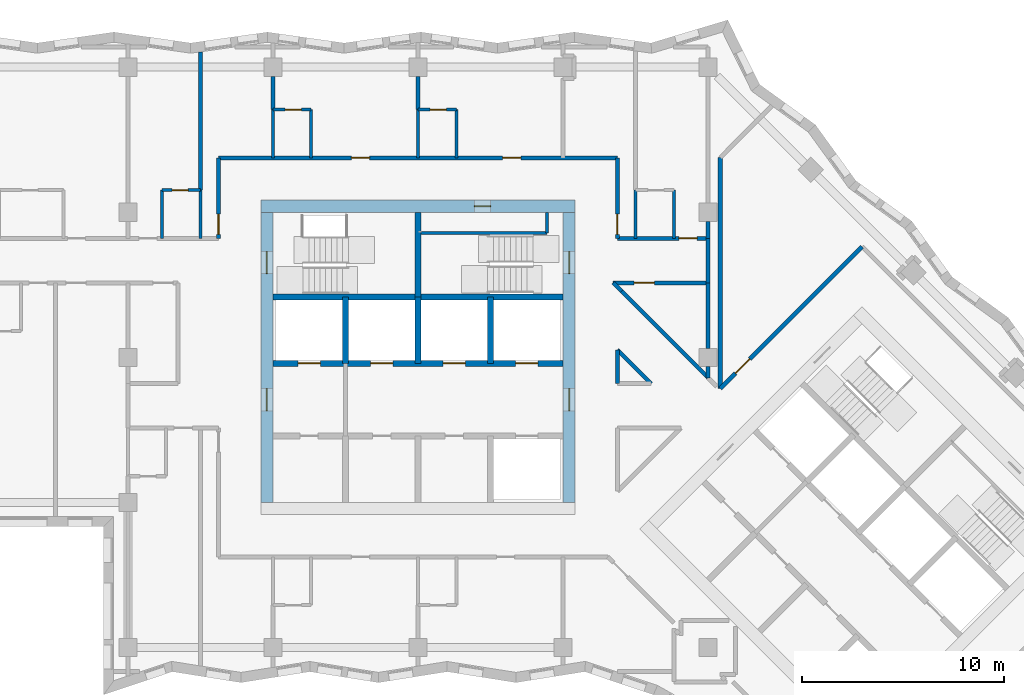
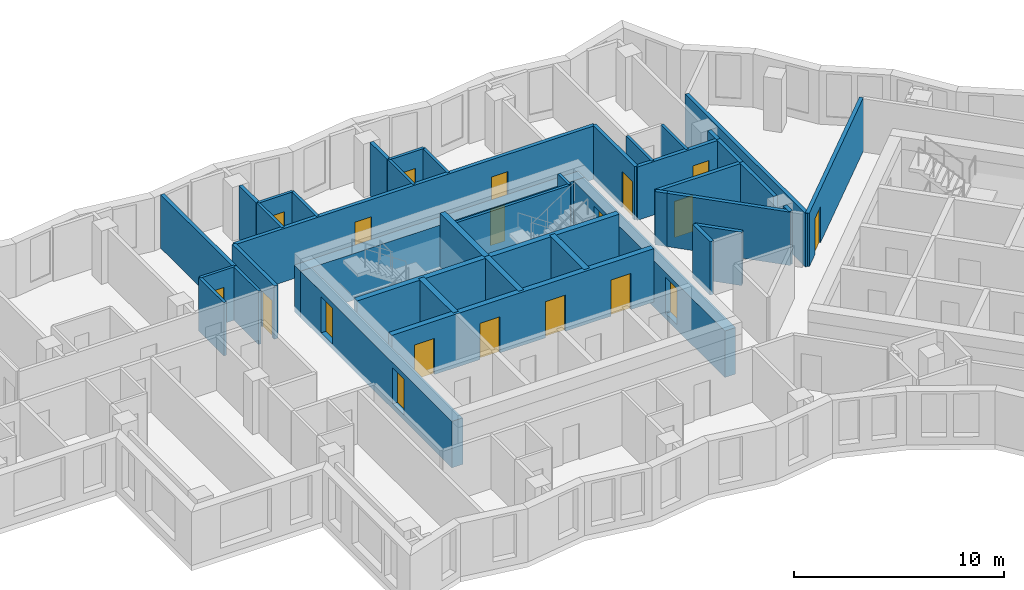
# One storey, part 6 of 12: 41 walls, 19 doors, 19 openings.
"""IFC4 building model written with IfcOpenShell, lengths in metres."""

from ifc_helpers import new_model, si_unit, direction, frame, frame_2d, origin, place, context, subcontext, project, spatial, rectangle, extrude, material, layer, layer_set, type_object, element, fill, save


model = new_model("IFC4")

# Units and contexts
model_context = context("Model", 3, precision=1e-05, world=origin(), true_north=direction((0.0, 1.0)))
body_context = subcontext(model_context, "Body", "Model", "MODEL_VIEW")
ifc_project = project(units=[si_unit("LENGTHUNIT", "METRE"), si_unit("AREAUNIT", "SQUARE_METRE"), si_unit("VOLUMEUNIT", "CUBIC_METRE"), si_unit("PLANEANGLEUNIT", "RADIAN"), si_unit("MASSUNIT", "GRAM", prefix="KILO")], contexts=[model_context])

# Site, building, storey
site_placement = place(None, origin())
site = spatial("IfcSite", under=ifc_project, at=site_placement, CompositionType="ELEMENT")
building_placement = place(site_placement, origin())
building = spatial("IfcBuilding", under=site, at=building_placement, Name="Windrow Commons", CompositionType="ELEMENT")
storey_placement = place(building_placement, frame((0.0, 0.0, 162.6)))
storey = spatial("IfcBuildingStorey", under=building, at=storey_placement, Name="L44", CompositionType="ELEMENT", Elevation=162.6)

# Wall, openings, doors
ifc_material_1 = material(Name="Blockwork partition", Category="masonry")
ifc_layer_1 = layer(ifc_material_1, 0.2)
ifc_layer_set_1 = layer_set([ifc_layer_1], Name="IW-CORRIDOR-200")
wall_type_1 = type_object("IfcWallType", Name="IW-CORRIDOR-200", PredefinedType="PARTITIONING", material=ifc_layer_set_1)
wall_1_placement = place(storey_placement, frame((54.9, 67.5, 0.0), z_axis=(0.0, 0.0, 1.0), x_axis=(1.0, 0.0, 0.0)))
wall_1 = element("IfcWall", 1, at=wall_1_placement, inside=storey, type_object=wall_type_1, Name="W-L44-W000", PredefinedType="PARTITIONING", context=body_context, shape_type="SweptSolid", body=[
    extrude(rectangle(XDim=19.8, YDim=0.2, at=frame_2d((9.9, 0.0))), origin(), (0.0, 0.0, 1.0), 3.1),
])
opening_1_placement = place(wall_1_placement, frame((6.5994, 0.0, 0.0)))
opening_1 = element("IfcOpeningElement", 2, at=opening_1_placement, cuts=wall_1, Name="Opening D109F", PredefinedType="OPENING", context=body_context, shape_type="SweptSolid", body=[
    extrude(rectangle(XDim=0.9, YDim=2.1, at=frame_2d((0.45, 1.05))), frame((0.0, 0.11, 0.0), z_axis=(0.0, -1.0, 0.0), x_axis=(1.0, 0.0, 0.0)), (0.0, 0.0, 1.0), 0.22),
])
opening_2_placement = place(wall_1_placement, frame((14.1006, 0.0, 0.0)))
opening_2 = element("IfcOpeningElement", 3, at=opening_2_placement, cuts=wall_1, Name="Opening D109F", PredefinedType="OPENING", context=body_context, shape_type="SweptSolid", body=[
    extrude(rectangle(XDim=0.9, YDim=2.1, at=frame_2d((0.45, 1.05))), frame((0.0, 0.11, 0.0), z_axis=(0.0, -1.0, 0.0), x_axis=(1.0, 0.0, 0.0)), (0.0, 0.0, 1.0), 0.22),
])
ifc_material_2 = material(Name="Timber door leaf", Category="wood")
door_type_1 = type_object("IfcDoorType", Name="DT-BEDROOM-900", OperationType="SINGLE_SWING_LEFT", PredefinedType="DOOR", material=ifc_material_2)
door_1_placement = place(opening_1_placement, origin())
door_1 = element("IfcDoor", 4, at=door_1_placement, inside=storey, type_object=door_type_1, Name="D-L44-D036", OperationType="SINGLE_SWING_RIGHT", OverallHeight=2.1, OverallWidth=0.9, PredefinedType="DOOR", context=body_context, shape_type="SweptSolid", body=[
    extrude(rectangle(XDim=0.9, YDim=2.1, at=frame_2d((0.45, 1.05))), frame((0.0, 0.025, 0.0), z_axis=(0.0, -1.0, 0.0), x_axis=(1.0, 0.0, 0.0)), (0.0, 0.0, 1.0), 0.05),
])
fill(opening_1, door_1)
door_2_placement = place(opening_2_placement, origin())
door_2 = element("IfcDoor", 5, at=door_2_placement, inside=storey, type_object=door_type_1, Name="D-L44-D038", OperationType="SINGLE_SWING_RIGHT", OverallHeight=2.1, OverallWidth=0.9, PredefinedType="DOOR", context=body_context, shape_type="SweptSolid", body=[
    extrude(rectangle(XDim=0.9, YDim=2.1, at=frame_2d((0.45, 1.05))), frame((0.0, 0.025, 0.0), z_axis=(0.0, -1.0, 0.0), x_axis=(1.0, 0.0, 0.0)), (0.0, 0.0, 1.0), 0.05),
])
fill(opening_2, door_2)

# Wall, opening, door
wall_2_placement = place(storey_placement, frame((79.7993, 56.0547, 0.0), z_axis=(0.0, 0.0, 1.0), x_axis=(0.7071067812, 0.7071067812, 0.0)))
wall_2 = element("IfcWall", 6, at=wall_2_placement, inside=storey, type_object=wall_type_1, Name="W-L44-W013", PredefinedType="PARTITIONING", context=body_context, shape_type="SweptSolid", body=[
    extrude(rectangle(XDim=9.9504, YDim=0.2, at=frame_2d((4.9752, 0.0))), origin(), (0.0, 0.0, 1.0), 3.1),
])
opening_3_placement = place(wall_2_placement, frame((1.0709, 0.0, 0.0)))
opening_3 = element("IfcOpeningElement", 7, at=opening_3_placement, cuts=wall_2, Name="Opening D310F", PredefinedType="OPENING", context=body_context, shape_type="SweptSolid", body=[
    extrude(rectangle(XDim=1.0, YDim=2.1, at=frame_2d((0.5, 1.05))), frame((0.0, 0.11, 0.0), z_axis=(0.0, -1.0, 0.0), x_axis=(1.0, 0.0, 0.0)), (0.0, 0.0, 1.0), 0.22),
])
ifc_material_3 = material(Name="Timber door leaf", Category="wood")
door_type_2 = type_object("IfcDoorType", Name="DT-AMENITY-1000", OperationType="SINGLE_SWING_LEFT", PredefinedType="DOOR", material=ifc_material_3)
door_3_placement = place(opening_3_placement, origin())
door_3 = element("IfcDoor", 8, at=door_3_placement, inside=storey, type_object=door_type_2, Name="D-L44-D040", OperationType="SINGLE_SWING_RIGHT", OverallHeight=2.1, OverallWidth=1.0, PredefinedType="DOOR", context=body_context, shape_type="SweptSolid", body=[
    extrude(rectangle(XDim=1.0, YDim=2.1, at=frame_2d((0.5, 1.05))), frame((0.0, 0.025, 0.0), z_axis=(0.0, -1.0, 0.0), x_axis=(1.0, 0.0, 0.0)), (0.0, 0.0, 1.0), 0.05),
])
fill(opening_3, door_3)

# Wall
wall_3_placement = place(storey_placement, frame((74.9034, 60.8894, 0.0), z_axis=(0.0, 0.0, 1.0), x_axis=(0.7071067812, -0.7071067812, 0.0)))
element("IfcWall", 9, at=wall_3_placement, inside=storey, type_object=wall_type_1, Name="W-L44-W027", PredefinedType="PARTITIONING", context=body_context, shape_type="SweptSolid", body=[
    extrude(rectangle(XDim=6.0811, YDim=0.2, at=frame_2d((3.0406, 0.0))), origin(), (0.0, 0.0, 1.0), 3.1),
])

# Wall, opening, door
wall_4_placement = place(storey_placement, frame((74.488, 61.3, 0.0), z_axis=(0.0, 0.0, 1.0), x_axis=(1.0, 0.0, 0.0)))
wall_4 = element("IfcWall", 10, at=wall_4_placement, inside=storey, type_object=wall_type_1, Name="W-L44-W033", PredefinedType="PARTITIONING", context=body_context, shape_type="SweptSolid", body=[
    extrude(rectangle(XDim=4.712, YDim=0.2, at=frame_2d((2.356, 0.0))), origin(), (0.0, 0.0, 1.0), 3.1),
])
opening_4_placement = place(wall_4_placement, frame((1.0374, 0.0, 0.0)))
opening_4 = element("IfcOpeningElement", 11, at=opening_4_placement, cuts=wall_4, Name="Opening D410F", PredefinedType="OPENING", context=body_context, shape_type="SweptSolid", body=[
    extrude(rectangle(XDim=1.0, YDim=2.1, at=frame_2d((0.5, 1.05))), frame((0.0, 0.11, 0.0), z_axis=(0.0, -1.0, 0.0), x_axis=(1.0, 0.0, 0.0)), (0.0, 0.0, 1.0), 0.22),
])
ifc_material_4 = material(Name="Timber door leaf", Category="wood")
door_type_3 = type_object("IfcDoorType", Name="DT-SERVICE-1000", OperationType="SINGLE_SWING_LEFT", PredefinedType="DOOR", material=ifc_material_4)
door_4_placement = place(opening_4_placement, origin())
door_4 = element("IfcDoor", 12, at=door_4_placement, inside=storey, type_object=door_type_3, Name="D-L44-D030", OperationType="SINGLE_SWING_RIGHT", OverallHeight=2.1, OverallWidth=1.0, PredefinedType="DOOR", context=body_context, shape_type="SweptSolid", body=[
    extrude(rectangle(XDim=1.0, YDim=2.1, at=frame_2d((0.5, 1.05))), frame((0.0, 0.025, 0.0), z_axis=(0.0, -1.0, 0.0), x_axis=(1.0, 0.0, 0.0)), (0.0, 0.0, 1.0), 0.05),
])
fill(opening_4, door_4)

wall_5_placement = place(storey_placement, frame((74.702, 63.5, 0.0), z_axis=(0.0, 0.0, 1.0), x_axis=(1.0, 0.0, 0.0)))
wall_5 = element("IfcWall", 13, at=wall_5_placement, inside=storey, type_object=wall_type_1, Name="W-L44-W037", PredefinedType="PARTITIONING", context=body_context, shape_type="SweptSolid", body=[
    extrude(rectangle(XDim=4.498, YDim=0.2, at=frame_2d((2.249, 0.0))), origin(), (0.0, 0.0, 1.0), 3.1),
])
opening_5_placement = place(wall_5_placement, frame((3.0463, 0.0, 0.0)))
opening_5 = element("IfcOpeningElement", 14, at=opening_5_placement, cuts=wall_5, Name="Opening D109S", PredefinedType="OPENING", context=body_context, shape_type="SweptSolid", body=[
    extrude(rectangle(XDim=0.9, YDim=2.1, at=frame_2d((0.45, 1.05))), frame((0.0, 0.11, 0.0), z_axis=(0.0, -1.0, 0.0), x_axis=(1.0, 0.0, 0.0)), (0.0, 0.0, 1.0), 0.22),
])
door_5_placement = place(opening_5_placement, origin())
door_5 = element("IfcDoor", 15, at=door_5_placement, inside=storey, type_object=door_type_1, Name="D-L44-D023", OperationType="SINGLE_SWING_LEFT", OverallHeight=2.1, OverallWidth=0.9, PredefinedType="DOOR", context=body_context, shape_type="SweptSolid", body=[
    extrude(rectangle(XDim=0.9, YDim=2.1, at=frame_2d((0.45, 1.05))), frame((0.0, 0.025, 0.0), z_axis=(0.0, -1.0, 0.0), x_axis=(1.0, 0.0, 0.0)), (0.0, 0.0, 1.0), 0.05),
])
fill(opening_5, door_5)

wall_6_placement = place(storey_placement, frame((54.9, 63.502, 0.0), z_axis=(0.0, 0.0, 1.0), x_axis=(0.0, 1.0, 0.0)))
wall_6 = element("IfcWall", 16, at=wall_6_placement, inside=storey, type_object=wall_type_1, Name="W-L44-W042", PredefinedType="PARTITIONING", context=body_context, shape_type="SweptSolid", body=[
    extrude(rectangle(XDim=3.998, YDim=0.2, at=frame_2d((1.999, 0.0))), origin(), (0.0, 0.0, 1.0), 3.1),
])
opening_6_placement = place(wall_6_placement, frame((0.2031, 0.0, 0.0)))
opening_6 = element("IfcOpeningElement", 17, at=opening_6_placement, cuts=wall_6, Name="Opening D310F", PredefinedType="OPENING", context=body_context, shape_type="SweptSolid", body=[
    extrude(rectangle(XDim=1.0, YDim=2.1, at=frame_2d((0.5, 1.05))), frame((0.0, 0.11, 0.0), z_axis=(0.0, -1.0, 0.0), x_axis=(1.0, 0.0, 0.0)), (0.0, 0.0, 1.0), 0.22),
])
door_6_placement = place(opening_6_placement, origin())
door_6 = element("IfcDoor", 18, at=door_6_placement, inside=storey, type_object=door_type_2, Name="D-L44-D021", OperationType="SINGLE_SWING_LEFT", OverallHeight=2.1, OverallWidth=1.0, PredefinedType="DOOR", context=body_context, shape_type="SweptSolid", body=[
    extrude(rectangle(XDim=1.0, YDim=2.1, at=frame_2d((0.5, 1.05))), frame((0.0, 0.025, 0.0), z_axis=(0.0, -1.0, 0.0), x_axis=(1.0, 0.0, 0.0)), (0.0, 0.0, 1.0), 0.05),
])
fill(opening_6, door_6)

wall_7_placement = place(storey_placement, frame((74.7, 63.502, 0.0), z_axis=(0.0, 0.0, 1.0), x_axis=(0.0, 1.0, 0.0)))
wall_7 = element("IfcWall", 19, at=wall_7_placement, inside=storey, type_object=wall_type_1, Name="W-L44-W043", PredefinedType="PARTITIONING", context=body_context, shape_type="SweptSolid", body=[
    extrude(rectangle(XDim=3.998, YDim=0.2, at=frame_2d((1.999, 0.0))), origin(), (0.0, 0.0, 1.0), 3.1),
])
opening_7_placement = place(wall_7_placement, frame((0.2031, 0.0, 0.0)))
opening_7 = element("IfcOpeningElement", 20, at=opening_7_placement, cuts=wall_7, Name="Opening D310F", PredefinedType="OPENING", context=body_context, shape_type="SweptSolid", body=[
    extrude(rectangle(XDim=1.0, YDim=2.1, at=frame_2d((0.5, 1.05))), frame((0.0, 0.11, 0.0), z_axis=(0.0, -1.0, 0.0), x_axis=(1.0, 0.0, 0.0)), (0.0, 0.0, 1.0), 0.22),
])
door_7_placement = place(opening_7_placement, origin())
door_7 = element("IfcDoor", 21, at=door_7_placement, inside=storey, type_object=door_type_2, Name="D-L44-D022", OperationType="SINGLE_SWING_RIGHT", OverallHeight=2.1, OverallWidth=1.0, PredefinedType="DOOR", context=body_context, shape_type="SweptSolid", body=[
    extrude(rectangle(XDim=1.0, YDim=2.1, at=frame_2d((0.5, 1.05))), frame((0.0, 0.025, 0.0), z_axis=(0.0, -1.0, 0.0), x_axis=(1.0, 0.0, 0.0)), (0.0, 0.0, 1.0), 0.05),
])
fill(opening_7, door_7)

# Walls
wall_8_placement = place(storey_placement, frame((74.6987, 57.9687, 0.0), z_axis=(0.0, 0.0, 1.0), x_axis=(0.7071067812, -0.7071067812, 0.0)))
element("IfcWall", 22, at=wall_8_placement, inside=storey, type_object=wall_type_1, Name="W-L44-W105", PredefinedType="PARTITIONING", context=body_context, shape_type="SweptSolid", body=[
    extrude(rectangle(XDim=2.3617, YDim=0.2, at=frame_2d((1.1808, 0.0))), origin(), (0.0, 0.0, 1.0), 3.1),
])
wall_9_placement = place(storey_placement, frame((79.2, 61.3, 0.0), z_axis=(0.0, 0.0, 1.0), x_axis=(0.0, 1.0, 0.0)))
element("IfcWall", 23, at=wall_9_placement, inside=storey, type_object=wall_type_1, Name="W-L44-W109", PredefinedType="PARTITIONING", context=body_context, shape_type="SweptSolid", body=[
    extrude(rectangle(XDim=2.2, YDim=0.2, at=frame_2d((1.1, 0.0))), origin(), (0.0, 0.0, 1.0), 3.1),
])
wall_10_placement = place(storey_placement, frame((74.7, 56.302, 0.0), z_axis=(0.0, 0.0, 1.0), x_axis=(0.0, 1.0, 0.0)))
element("IfcWall", 24, at=wall_10_placement, inside=storey, type_object=wall_type_1, Name="W-L44-W131", PredefinedType="PARTITIONING", context=body_context, shape_type="SweptSolid", body=[
    extrude(rectangle(XDim=1.67, YDim=0.2, at=frame_2d((0.835, 0.0))), origin(), (0.0, 0.0, 1.0), 3.1),
])
wall_11_placement = place(storey_placement, frame((74.4888, 61.3008, 0.0), z_axis=(0.0, 0.0, 1.0), x_axis=(0.7053925905, -0.7088168263, 0.0)))
element("IfcWall", 25, at=wall_11_placement, inside=storey, type_object=wall_type_1, Name="W-L44-W164", PredefinedType="PARTITIONING", context=body_context, shape_type="SweptSolid", body=[
    extrude(rectangle(XDim=0.5841, YDim=0.2, at=frame_2d((0.292, 0.0))), origin(), (0.0, 0.0, 1.0), 3.1),
])
ifc_material_5 = material(Name="Blockwork partition", Category="masonry")
ifc_layer_2 = layer(ifc_material_5, 0.15)
ifc_layer_set_2 = layer_set([ifc_layer_2], Name="IW-ENSUITE-150")
wall_type_2 = type_object("IfcWallType", Name="IW-ENSUITE-150", PredefinedType="PARTITIONING", material=ifc_layer_set_2)
for number, where, z_axis, x_axis, name in (
    (26, (52.1, 63.5, 0.0), (0.0, 0.0, 1.0), (0.0, 1.0, 0.0), "W-L44-W080"),
    (27, (54.0, 63.5, 0.0), (0.0, 0.0, 1.0), (0.0, 1.0, 0.0), "W-L44-W081"),
    (28, (59.5, 67.5, 0.0), (0.0, 0.0, 1.0), (0.0, 1.0, 0.0), "W-L44-W083"),
    (29, (57.6, 67.5, 0.0), (0.0, 0.0, 1.0), (0.0, 1.0, 0.0), "W-L44-W085"),
    (30, (66.7, 67.5, 0.0), (0.0, 0.0, 1.0), (0.0, 1.0, 0.0), "W-L44-W087"),
    (31, (64.8, 67.5, 0.0), (0.0, 0.0, 1.0), (0.0, 1.0, 0.0), "W-L44-W089"),
    (32, (75.6, 63.5, 0.0), (0.0, 0.0, 1.0), (0.0, 1.0, 0.0), "W-L44-W090"),
    (33, (77.5, 63.5, 0.0), (0.0, 0.0, 1.0), (0.0, 1.0, 0.0), "W-L44-W091"),
):
    element("IfcWall", number, at=place(storey_placement, frame(where, z_axis=z_axis, x_axis=x_axis)), inside=storey, type_object=wall_type_2, Name=name, PredefinedType="PARTITIONING", context=body_context, shape_type="SweptSolid", body=[
        extrude(rectangle(XDim=2.4, YDim=0.15, at=frame_2d((1.2, 0.0))), origin(), (0.0, 0.0, 1.0), 3.1),
    ])

# Wall, opening, door
wall_12_placement = place(storey_placement, frame((64.8, 69.9, 0.0), z_axis=(0.0, 0.0, 1.0), x_axis=(1.0, 0.0, 0.0)))
wall_12 = element("IfcWall", 34, at=wall_12_placement, inside=storey, type_object=wall_type_2, Name="W-L44-W116", PredefinedType="PARTITIONING", context=body_context, shape_type="SweptSolid", body=[
    extrude(rectangle(XDim=1.9, YDim=0.15, at=frame_2d((0.95, 0.0))), origin(), (0.0, 0.0, 1.0), 3.1),
])
opening_8_placement = place(wall_12_placement, frame((0.6069, 0.0, 0.0)))
opening_8 = element("IfcOpeningElement", 35, at=opening_8_placement, cuts=wall_12, Name="Opening D208N", PredefinedType="OPENING", context=body_context, shape_type="SweptSolid", body=[
    extrude(rectangle(XDim=0.8, YDim=2.1, at=frame_2d((0.4, 1.05))), frame((0.0, 0.085, 0.0), z_axis=(0.0, -1.0, 0.0), x_axis=(1.0, 0.0, 0.0)), (0.0, 0.0, 1.0), 0.17),
])
ifc_material_6 = material(Name="Timber door leaf", Category="wood")
door_type_4 = type_object("IfcDoorType", Name="DT-ENSUITE-800", OperationType="SINGLE_SWING_LEFT", PredefinedType="DOOR", material=ifc_material_6)
door_8_placement = place(opening_8_placement, origin())
door_8 = element("IfcDoor", 36, at=door_8_placement, inside=storey, type_object=door_type_4, Name="D-L44-D039", OperationType="SINGLE_SWING_RIGHT", OverallHeight=2.1, OverallWidth=0.8, PredefinedType="DOOR", context=body_context, shape_type="SweptSolid", body=[
    extrude(rectangle(XDim=0.8, YDim=2.1, at=frame_2d((0.4, 1.05))), frame((0.0, 0.025, 0.0), z_axis=(0.0, -1.0, 0.0), x_axis=(1.0, 0.0, 0.0)), (0.0, 0.0, 1.0), 0.05),
])
fill(opening_8, door_8)

wall_13_placement = place(storey_placement, frame((52.1, 65.9, 0.0), z_axis=(0.0, 0.0, 1.0), x_axis=(1.0, 0.0, 0.0)))
wall_13 = element("IfcWall", 37, at=wall_13_placement, inside=storey, type_object=wall_type_2, Name="W-L44-W122", PredefinedType="PARTITIONING", context=body_context, shape_type="SweptSolid", body=[
    extrude(rectangle(XDim=1.9, YDim=0.15, at=frame_2d((0.95, 0.0))), origin(), (0.0, 0.0, 1.0), 3.1),
])
opening_9_placement = place(wall_13_placement, frame((0.4931, 0.0, 0.0)))
opening_9 = element("IfcOpeningElement", 38, at=opening_9_placement, cuts=wall_13, Name="Opening D208N", PredefinedType="OPENING", context=body_context, shape_type="SweptSolid", body=[
    extrude(rectangle(XDim=0.8, YDim=2.1, at=frame_2d((0.4, 1.05))), frame((0.0, 0.085, 0.0), z_axis=(0.0, -1.0, 0.0), x_axis=(1.0, 0.0, 0.0)), (0.0, 0.0, 1.0), 0.17),
])
door_9_placement = place(opening_9_placement, origin())
door_9 = element("IfcDoor", 39, at=door_9_placement, inside=storey, type_object=door_type_4, Name="D-L44-D020", OperationType="SINGLE_SWING_RIGHT", OverallHeight=2.1, OverallWidth=0.8, PredefinedType="DOOR", context=body_context, shape_type="SweptSolid", body=[
    extrude(rectangle(XDim=0.8, YDim=2.1, at=frame_2d((0.4, 1.05))), frame((0.0, 0.025, 0.0), z_axis=(0.0, -1.0, 0.0), x_axis=(1.0, 0.0, 0.0)), (0.0, 0.0, 1.0), 0.05),
])
fill(opening_9, door_9)

wall_14_placement = place(storey_placement, frame((57.6, 69.9, 0.0), z_axis=(0.0, 0.0, 1.0), x_axis=(1.0, 0.0, 0.0)))
wall_14 = element("IfcWall", 40, at=wall_14_placement, inside=storey, type_object=wall_type_2, Name="W-L44-W125", PredefinedType="PARTITIONING", context=body_context, shape_type="SweptSolid", body=[
    extrude(rectangle(XDim=1.9, YDim=0.15, at=frame_2d((0.95, 0.0))), origin(), (0.0, 0.0, 1.0), 3.1),
])
opening_10_placement = place(wall_14_placement, frame((0.6069, 0.0, 0.0)))
opening_10 = element("IfcOpeningElement", 41, at=opening_10_placement, cuts=wall_14, Name="Opening D208N", PredefinedType="OPENING", context=body_context, shape_type="SweptSolid", body=[
    extrude(rectangle(XDim=0.8, YDim=2.1, at=frame_2d((0.4, 1.05))), frame((0.0, 0.085, 0.0), z_axis=(0.0, -1.0, 0.0), x_axis=(1.0, 0.0, 0.0)), (0.0, 0.0, 1.0), 0.17),
])
door_10_placement = place(opening_10_placement, origin())
door_10 = element("IfcDoor", 42, at=door_10_placement, inside=storey, type_object=door_type_4, Name="D-L44-D037", OperationType="SINGLE_SWING_RIGHT", OverallHeight=2.1, OverallWidth=0.8, PredefinedType="DOOR", context=body_context, shape_type="SweptSolid", body=[
    extrude(rectangle(XDim=0.8, YDim=2.1, at=frame_2d((0.4, 1.05))), frame((0.0, 0.025, 0.0), z_axis=(0.0, -1.0, 0.0), x_axis=(1.0, 0.0, 0.0)), (0.0, 0.0, 1.0), 0.05),
])
fill(opening_10, door_10)

# Walls
ifc_material_7 = material(Name="Blockwork partition", Category="masonry")
ifc_layer_3 = layer(ifc_material_7, 0.2)
ifc_layer_set_3 = layer_set([ifc_layer_3], Name="IW-PARTY-200")
wall_type_3 = type_object("IfcWallType", Name="IW-PARTY-200", PredefinedType="PARTITIONING", material=ifc_layer_set_3)
wall_15_placement = place(storey_placement, frame((79.8, 56.054, 0.0), z_axis=(0.0, 0.0, 1.0), x_axis=(0.0, 1.0, 0.0)))
element("IfcWall", 43, at=wall_15_placement, inside=storey, type_object=wall_type_3, Name="W-L44-W011", PredefinedType="PARTITIONING", context=body_context, shape_type="SweptSolid", body=[
    extrude(rectangle(XDim=11.454, YDim=0.2, at=frame_2d((5.727, 0.0))), origin(), (0.0, 0.0, 1.0), 3.1),
])
wall_16_placement = place(storey_placement, frame((54.0, 65.9, 0.0), z_axis=(0.0, 0.0, 1.0), x_axis=(0.0, 1.0, 0.0)))
element("IfcWall", 44, at=wall_16_placement, inside=storey, type_object=wall_type_3, Name="W-L44-W019", PredefinedType="PARTITIONING", context=body_context, shape_type="SweptSolid", body=[
    extrude(rectangle(XDim=6.8631, YDim=0.2, at=frame_2d((3.4316, 0.0))), origin(), (0.0, 0.0, 1.0), 3.1),
])
wall_17_placement = place(storey_placement, frame((79.2, 58.05, 0.0), z_axis=(0.0, 0.0, 1.0), x_axis=(0.0, 1.0, 0.0)))
element("IfcWall", 45, at=wall_17_placement, inside=storey, type_object=wall_type_3, Name="W-L44-W049", PredefinedType="PARTITIONING", context=body_context, shape_type="SweptSolid", body=[
    extrude(rectangle(XDim=3.25, YDim=0.2, at=frame_2d((1.625, 0.0))), origin(), (0.0, 0.0, 1.0), 3.1),
])
for number, where, z_axis, x_axis, name in (
    (46, (57.6, 69.9, 0.0), (0.0, 0.0, 1.0), (0.0, 1.0, 0.0), "W-L44-W134"),
    (47, (64.8, 69.9, 0.0), (0.0, 0.0, 1.0), (0.0, 1.0, 0.0), "W-L44-W135"),
):
    element("IfcWall", number, at=place(storey_placement, frame(where, z_axis=z_axis, x_axis=x_axis)), inside=storey, type_object=wall_type_3, Name=name, PredefinedType="PARTITIONING", context=body_context, shape_type="SweptSolid", body=[
        extrude(rectangle(XDim=1.65, YDim=0.2, at=frame_2d((0.825, 0.0))), origin(), (0.0, 0.0, 1.0), 3.1),
    ])
wall_18_placement = place(storey_placement, frame((79.2, 63.5, 0.0), z_axis=(0.0, 0.0, 1.0), x_axis=(0.0, 1.0, 0.0)))
element("IfcWall", 48, at=wall_18_placement, inside=storey, type_object=wall_type_3, Name="W-L44-W152", PredefinedType="PARTITIONING", context=body_context, shape_type="SweptSolid", body=[
    extrude(rectangle(XDim=0.85, YDim=0.2, at=frame_2d((0.425, 0.0))), origin(), (0.0, 0.0, 1.0), 3.1),
])
wall_19_placement = place(storey_placement, frame((79.2, 56.586, 0.0), z_axis=(0.0, 0.0, 1.0), x_axis=(0.0, 1.0, 0.0)))
element("IfcWall", 49, at=wall_19_placement, inside=storey, type_object=wall_type_3, Name="W-L44-W166", PredefinedType="PARTITIONING", context=body_context, shape_type="SweptSolid", body=[
    extrude(rectangle(XDim=0.564, YDim=0.2, at=frame_2d((0.282, 0.0))), origin(), (0.0, 0.0, 1.0), 3.1),
])

# Wall, opening, door
ifc_material_8 = material(Name="Concrete C50/60", Category="concrete")
ifc_layer_4 = layer(ifc_material_8, 0.6)
ifc_layer_set_4 = layer_set([ifc_layer_4], Name="RC CORE WALL 600 C50/60")
wall_type_4 = type_object("IfcWallType", Name="RC CORE WALL 600 C50/60", PredefinedType="SHEAR", material=ifc_layer_set_4)
wall_20_placement = place(storey_placement, frame((57.0, 65.1, -0.3), z_axis=(0.0, 0.0, 1.0), x_axis=(1.0, 0.0, 0.0)))
wall_20 = element("IfcWall", 50, at=wall_20_placement, inside=storey, type_object=wall_type_4, Name="Core A wall outer-N", PredefinedType="SHEAR", context=body_context, shape_type="SweptSolid", body=[
    extrude(rectangle(XDim=15.6, YDim=0.6, at=frame_2d((7.8, 0.0))), origin(), (0.0, 0.0, 1.0), 2.7),
])
opening_11_placement = place(wall_20_placement, frame((10.6, 0.0, 0.3)))
opening_11 = element("IfcOpeningElement", 51, at=opening_11_placement, cuts=wall_20, Name="Opening D9", PredefinedType="OPENING", context=body_context, shape_type="SweptSolid", body=[
    extrude(rectangle(XDim=0.8, YDim=2.1, at=frame_2d((0.4, 1.05))), frame((0.0, 0.31, 0.0), z_axis=(0.0, -1.0, 0.0), x_axis=(1.0, 0.0, 0.0)), (0.0, 0.0, 1.0), 0.62),
])
ifc_material_9 = material(Name="Steel fire door leaf", Category="steel")
door_type_5 = type_object("IfcDoorType", Name="Riser access door 800", OperationType="SINGLE_SWING_LEFT", PredefinedType="DOOR", material=ifc_material_9)
door_11_placement = place(opening_11_placement, origin())
door_11 = element("IfcDoor", 52, at=door_11_placement, inside=storey, type_object=door_type_5, Name="Riser access door", OperationType="SINGLE_SWING_RIGHT", OverallHeight=2.1, OverallWidth=0.8, PredefinedType="DOOR", context=body_context, shape_type="SweptSolid", body=[
    extrude(rectangle(XDim=0.8, YDim=2.1, at=frame_2d((0.4, 1.05))), frame((0.0, 0.025, 0.0), z_axis=(0.0, -1.0, 0.0), x_axis=(1.0, 0.0, 0.0)), (0.0, 0.0, 1.0), 0.05),
])
fill(opening_11, door_11)

# Wall, openings, doors
wall_21_placement = place(storey_placement, frame((57.3, 50.4, -0.3), z_axis=(0.0, 0.0, 1.0), x_axis=(0.0, 1.0, 0.0)))
wall_21 = element("IfcWall", 53, at=wall_21_placement, inside=storey, type_object=wall_type_4, Name="Core A wall outer-W", PredefinedType="SHEAR", context=body_context, shape_type="SweptSolid", body=[
    extrude(rectangle(XDim=14.4, YDim=0.6, at=frame_2d((7.2, 0.0))), origin(), (0.0, 0.0, 1.0), 2.7),
])
opening_12_placement = place(wall_21_placement, frame((4.55, 0.0, 0.3)))
opening_12 = element("IfcOpeningElement", 54, at=opening_12_placement, cuts=wall_21, Name="Opening D6", PredefinedType="OPENING", context=body_context, shape_type="SweptSolid", body=[
    extrude(rectangle(XDim=1.1, YDim=2.1, at=frame_2d((0.55, 1.05))), frame((0.0, 0.31, 0.0), z_axis=(0.0, -1.0, 0.0), x_axis=(1.0, 0.0, 0.0)), (0.0, 0.0, 1.0), 0.62),
])
opening_13_placement = place(wall_21_placement, frame((11.35, 0.0, 0.3)))
opening_13 = element("IfcOpeningElement", 55, at=opening_13_placement, cuts=wall_21, Name="Opening D7", PredefinedType="OPENING", context=body_context, shape_type="SweptSolid", body=[
    extrude(rectangle(XDim=1.1, YDim=2.1, at=frame_2d((0.55, 1.05))), frame((0.0, 0.31, 0.0), z_axis=(0.0, -1.0, 0.0), x_axis=(1.0, 0.0, 0.0)), (0.0, 0.0, 1.0), 0.62),
])
ifc_material_10 = material(Name="Steel fire door leaf", Category="steel")
door_type_6 = type_object("IfcDoorType", Name="Core lobby door 1100", OperationType="SINGLE_SWING_LEFT", PredefinedType="DOOR", material=ifc_material_10)
door_12_placement = place(opening_12_placement, origin())
door_12 = element("IfcDoor", 56, at=door_12_placement, inside=storey, type_object=door_type_6, Name="Lift lobby door", OperationType="DOUBLE_DOOR_SINGLE_SWING", OverallHeight=2.1, OverallWidth=1.1, PredefinedType="DOOR", context=body_context, shape_type="SweptSolid", body=[
    extrude(rectangle(XDim=1.1, YDim=2.1, at=frame_2d((0.55, 1.05))), frame((0.0, 0.025, 0.0), z_axis=(0.0, -1.0, 0.0), x_axis=(1.0, 0.0, 0.0)), (0.0, 0.0, 1.0), 0.05),
])
fill(opening_12, door_12)
ifc_material_11 = material(Name="Steel fire door leaf", Category="steel")
door_type_7 = type_object("IfcDoorType", Name="Stair door 1100", OperationType="SINGLE_SWING_LEFT", PredefinedType="DOOR", material=ifc_material_11)
door_13_placement = place(opening_13_placement, origin())
door_13 = element("IfcDoor", 57, at=door_13_placement, inside=storey, type_object=door_type_7, Name="Stair door", OperationType="SINGLE_SWING_LEFT", OverallHeight=2.1, OverallWidth=1.1, PredefinedType="DOOR", context=body_context, shape_type="SweptSolid", body=[
    extrude(rectangle(XDim=1.1, YDim=2.1, at=frame_2d((0.55, 1.05))), frame((0.0, 0.025, 0.0), z_axis=(0.0, -1.0, 0.0), x_axis=(1.0, 0.0, 0.0)), (0.0, 0.0, 1.0), 0.05),
])
fill(opening_13, door_13)

wall_22_placement = place(storey_placement, frame((72.3, 50.4, -0.3), z_axis=(0.0, 0.0, 1.0), x_axis=(0.0, 1.0, 0.0)))
wall_22 = element("IfcWall", 58, at=wall_22_placement, inside=storey, type_object=wall_type_4, Name="Core A wall outer-E", PredefinedType="SHEAR", context=body_context, shape_type="SweptSolid", body=[
    extrude(rectangle(XDim=14.4, YDim=0.6, at=frame_2d((7.2, 0.0))), origin(), (0.0, 0.0, 1.0), 2.7),
])
opening_14_placement = place(wall_22_placement, frame((4.55, 0.0, 0.3)))
opening_14 = element("IfcOpeningElement", 59, at=opening_14_placement, cuts=wall_22, Name="Opening D6", PredefinedType="OPENING", context=body_context, shape_type="SweptSolid", body=[
    extrude(rectangle(XDim=1.1, YDim=2.1, at=frame_2d((0.55, 1.05))), frame((0.0, 0.31, 0.0), z_axis=(0.0, -1.0, 0.0), x_axis=(1.0, 0.0, 0.0)), (0.0, 0.0, 1.0), 0.62),
])
opening_15_placement = place(wall_22_placement, frame((11.35, 0.0, 0.3)))
opening_15 = element("IfcOpeningElement", 60, at=opening_15_placement, cuts=wall_22, Name="Opening D7", PredefinedType="OPENING", context=body_context, shape_type="SweptSolid", body=[
    extrude(rectangle(XDim=1.1, YDim=2.1, at=frame_2d((0.55, 1.05))), frame((0.0, 0.31, 0.0), z_axis=(0.0, -1.0, 0.0), x_axis=(1.0, 0.0, 0.0)), (0.0, 0.0, 1.0), 0.62),
])
door_14_placement = place(opening_14_placement, origin())
door_14 = element("IfcDoor", 61, at=door_14_placement, inside=storey, type_object=door_type_6, Name="Lift lobby door", OperationType="DOUBLE_DOOR_SINGLE_SWING", OverallHeight=2.1, OverallWidth=1.1, PredefinedType="DOOR", context=body_context, shape_type="SweptSolid", body=[
    extrude(rectangle(XDim=1.1, YDim=2.1, at=frame_2d((0.55, 1.05))), frame((0.0, 0.025, 0.0), z_axis=(0.0, -1.0, 0.0), x_axis=(1.0, 0.0, 0.0)), (0.0, 0.0, 1.0), 0.05),
])
fill(opening_14, door_14)
door_15_placement = place(opening_15_placement, origin())
door_15 = element("IfcDoor", 62, at=door_15_placement, inside=storey, type_object=door_type_7, Name="Stair door", OperationType="SINGLE_SWING_RIGHT", OverallHeight=2.1, OverallWidth=1.1, PredefinedType="DOOR", context=body_context, shape_type="SweptSolid", body=[
    extrude(rectangle(XDim=1.1, YDim=2.1, at=frame_2d((0.55, 1.05))), frame((0.0, 0.025, 0.0), z_axis=(0.0, -1.0, 0.0), x_axis=(1.0, 0.0, 0.0)), (0.0, 0.0, 1.0), 0.05),
])
fill(opening_15, door_15)

# Walls
ifc_material_12 = material(Name="Concrete C50/60", Category="concrete")
ifc_layer_5 = layer(ifc_material_12, 0.3)
ifc_layer_set_5 = layer_set([ifc_layer_5], Name="RC SHAFT WALL 300 C50/60")
wall_type_5 = type_object("IfcWallType", Name="RC SHAFT WALL 300 C50/60", PredefinedType="SOLIDWALL", material=ifc_layer_set_5)
for number, where, z_axis, x_axis, name in (
    (63, (61.2, 57.3, 0.0), (0.0, 0.0, 1.0), (0.0, 1.0, 0.0), "Core A wall shaft-N1"),
    (64, (64.8, 57.3, 0.0), (0.0, 0.0, 1.0), (0.0, 1.0, 0.0), "Core A wall shaft-N2"),
    (65, (68.4, 57.3, 0.0), (0.0, 0.0, 1.0), (0.0, 1.0, 0.0), "Core A wall shaft-N3"),
):
    element("IfcWall", number, at=place(storey_placement, frame(where, z_axis=z_axis, x_axis=x_axis)), inside=storey, type_object=wall_type_5, Name=name, PredefinedType="SOLIDWALL", context=body_context, shape_type="SweptSolid", body=[
        extrude(rectangle(XDim=3.3, YDim=0.3, at=frame_2d((1.65, 0.0))), origin(), (0.0, 0.0, 1.0), 3.1),
    ])

# Wall, openings, doors
wall_23_placement = place(storey_placement, frame((57.6, 57.3, 0.0), z_axis=(0.0, 0.0, 1.0), x_axis=(1.0, 0.0, 0.0)))
wall_23 = element("IfcWall", 66, at=wall_23_placement, inside=storey, type_object=wall_type_5, Name="Core A wall lobby-N", PredefinedType="SOLIDWALL", context=body_context, shape_type="SweptSolid", body=[
    extrude(rectangle(XDim=14.4, YDim=0.3, at=frame_2d((7.2, 0.0))), origin(), (0.0, 0.0, 1.0), 3.1),
])
opening_16_placement = place(wall_23_placement, frame((1.25, 0.0, 0.0)))
opening_16 = element("IfcOpeningElement", 67, at=opening_16_placement, cuts=wall_23, Name="Opening LD", PredefinedType="OPENING", context=body_context, shape_type="SweptSolid", body=[
    extrude(rectangle(XDim=1.1, YDim=2.1, at=frame_2d((0.55, 1.05))), frame((0.0, 0.16, 0.0), z_axis=(0.0, -1.0, 0.0), x_axis=(1.0, 0.0, 0.0)), (0.0, 0.0, 1.0), 0.32),
])
opening_17_placement = place(wall_23_placement, frame((4.85, 0.0, 0.0)))
opening_17 = element("IfcOpeningElement", 68, at=opening_17_placement, cuts=wall_23, Name="Opening LD", PredefinedType="OPENING", context=body_context, shape_type="SweptSolid", body=[
    extrude(rectangle(XDim=1.1, YDim=2.1, at=frame_2d((0.55, 1.05))), frame((0.0, 0.16, 0.0), z_axis=(0.0, -1.0, 0.0), x_axis=(1.0, 0.0, 0.0)), (0.0, 0.0, 1.0), 0.32),
])
opening_18_placement = place(wall_23_placement, frame((8.45, 0.0, 0.0)))
opening_18 = element("IfcOpeningElement", 69, at=opening_18_placement, cuts=wall_23, Name="Opening LD", PredefinedType="OPENING", context=body_context, shape_type="SweptSolid", body=[
    extrude(rectangle(XDim=1.1, YDim=2.1, at=frame_2d((0.55, 1.05))), frame((0.0, 0.16, 0.0), z_axis=(0.0, -1.0, 0.0), x_axis=(1.0, 0.0, 0.0)), (0.0, 0.0, 1.0), 0.32),
])
opening_19_placement = place(wall_23_placement, frame((12.05, 0.0, 0.0)))
opening_19 = element("IfcOpeningElement", 70, at=opening_19_placement, cuts=wall_23, Name="Opening LD", PredefinedType="OPENING", context=body_context, shape_type="SweptSolid", body=[
    extrude(rectangle(XDim=1.1, YDim=2.1, at=frame_2d((0.55, 1.05))), frame((0.0, 0.16, 0.0), z_axis=(0.0, -1.0, 0.0), x_axis=(1.0, 0.0, 0.0)), (0.0, 0.0, 1.0), 0.32),
])
ifc_material_13 = material(Name="Stainless steel door leaf", Category="steel")
door_type_8 = type_object("IfcDoorType", Name="Lift landing door 1100", OperationType="SLIDING_TO_LEFT", PredefinedType="DOOR", material=ifc_material_13)
door_16_placement = place(opening_16_placement, origin())
door_16 = element("IfcDoor", 71, at=door_16_placement, inside=storey, type_object=door_type_8, Name="Lift landing door", OperationType="SLIDING_TO_LEFT", OverallHeight=2.1, OverallWidth=1.1, PredefinedType="DOOR", context=body_context, shape_type="SweptSolid", body=[
    extrude(rectangle(XDim=1.1, YDim=2.1, at=frame_2d((0.55, 1.05))), frame((0.0, 0.025, 0.0), z_axis=(0.0, -1.0, 0.0), x_axis=(1.0, 0.0, 0.0)), (0.0, 0.0, 1.0), 0.05),
])
fill(opening_16, door_16)
door_17_placement = place(opening_17_placement, origin())
door_17 = element("IfcDoor", 72, at=door_17_placement, inside=storey, type_object=door_type_8, Name="Lift landing door", OperationType="SLIDING_TO_RIGHT", OverallHeight=2.1, OverallWidth=1.1, PredefinedType="DOOR", context=body_context, shape_type="SweptSolid", body=[
    extrude(rectangle(XDim=1.1, YDim=2.1, at=frame_2d((0.55, 1.05))), frame((0.0, 0.025, 0.0), z_axis=(0.0, -1.0, 0.0), x_axis=(1.0, 0.0, 0.0)), (0.0, 0.0, 1.0), 0.05),
])
fill(opening_17, door_17)
door_18_placement = place(opening_18_placement, origin())
door_18 = element("IfcDoor", 73, at=door_18_placement, inside=storey, type_object=door_type_8, Name="Lift landing door", OperationType="SLIDING_TO_LEFT", OverallHeight=2.1, OverallWidth=1.1, PredefinedType="DOOR", context=body_context, shape_type="SweptSolid", body=[
    extrude(rectangle(XDim=1.1, YDim=2.1, at=frame_2d((0.55, 1.05))), frame((0.0, 0.025, 0.0), z_axis=(0.0, -1.0, 0.0), x_axis=(1.0, 0.0, 0.0)), (0.0, 0.0, 1.0), 0.05),
])
fill(opening_18, door_18)
door_19_placement = place(opening_19_placement, origin())
door_19 = element("IfcDoor", 74, at=door_19_placement, inside=storey, type_object=door_type_8, Name="Lift landing door", OperationType="SLIDING_TO_RIGHT", OverallHeight=2.1, OverallWidth=1.1, PredefinedType="DOOR", context=body_context, shape_type="SweptSolid", body=[
    extrude(rectangle(XDim=1.1, YDim=2.1, at=frame_2d((0.55, 1.05))), frame((0.0, 0.025, 0.0), z_axis=(0.0, -1.0, 0.0), x_axis=(1.0, 0.0, 0.0)), (0.0, 0.0, 1.0), 0.05),
])
fill(opening_19, door_19)

# Walls
for number, where, z_axis, x_axis, name in (
    (75, (57.6, 60.6, 0.0), (0.0, 0.0, 1.0), (1.0, 0.0, 0.0), "Core A wall stair-S"),
    (76, (64.8, 60.6, 0.0), (0.0, 0.0, 1.0), (1.0, 0.0, 0.0), "Core A wall stair-S2"),
):
    element("IfcWall", number, at=place(storey_placement, frame(where, z_axis=z_axis, x_axis=x_axis)), inside=storey, type_object=wall_type_5, Name=name, PredefinedType="SOLIDWALL", context=body_context, shape_type="SweptSolid", body=[
        extrude(rectangle(XDim=7.2, YDim=0.3, at=frame_2d((3.6, 0.0))), origin(), (0.0, 0.0, 1.0), 3.1),
    ])
wall_24_placement = place(storey_placement, frame((64.8, 60.6, 0.0), z_axis=(0.0, 0.0, 1.0), x_axis=(0.0, 1.0, 0.0)))
element("IfcWall", 77, at=wall_24_placement, inside=storey, type_object=wall_type_5, Name="Core A wall stair-mid", PredefinedType="SOLIDWALL", context=body_context, shape_type="SweptSolid", body=[
    extrude(rectangle(XDim=4.2, YDim=0.3, at=frame_2d((2.1, 0.0))), origin(), (0.0, 0.0, 1.0), 3.1),
])
ifc_material_14 = material(Name="Blockwork partition", Category="masonry")
ifc_layer_6 = layer(ifc_material_14, 0.15)
ifc_layer_set_6 = layer_set([ifc_layer_6], Name="Riser partition 150")
wall_type_6 = type_object("IfcWallType", Name="Riser partition 150", PredefinedType="PARTITIONING", material=ifc_layer_set_6)
wall_25_placement = place(storey_placement, frame((64.95, 63.78, 0.0), z_axis=(0.0, 0.0, 1.0), x_axis=(1.0, 0.0, 0.0)))
element("IfcWall", 78, at=wall_25_placement, inside=storey, type_object=wall_type_6, Name="W-core-strip-A-L44", PredefinedType="PARTITIONING", context=body_context, shape_type="SweptSolid", body=[
    extrude(rectangle(XDim=6.25, YDim=0.15, at=frame_2d((3.125, 0.0))), origin(), (0.0, 0.0, 1.0), 3.1),
])
wall_26_placement = place(storey_placement, frame((71.2, 63.78, 0.0), z_axis=(0.0, 0.0, 1.0), x_axis=(0.0, 1.0, 0.0)))
element("IfcWall", 79, at=wall_26_placement, inside=storey, type_object=wall_type_6, Name="W-core-stripx-A-L44-1", PredefinedType="PARTITIONING", context=body_context, shape_type="SweptSolid", body=[
    extrude(rectangle(XDim=1.02, YDim=0.15, at=frame_2d((0.51, 0.0))), origin(), (0.0, 0.0, 1.0), 3.1),
])

save(model, "model.ifc")
